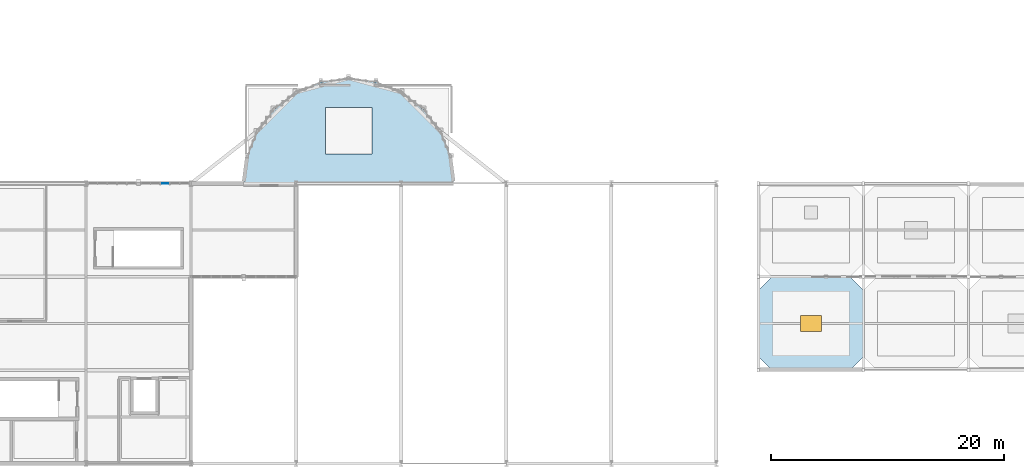
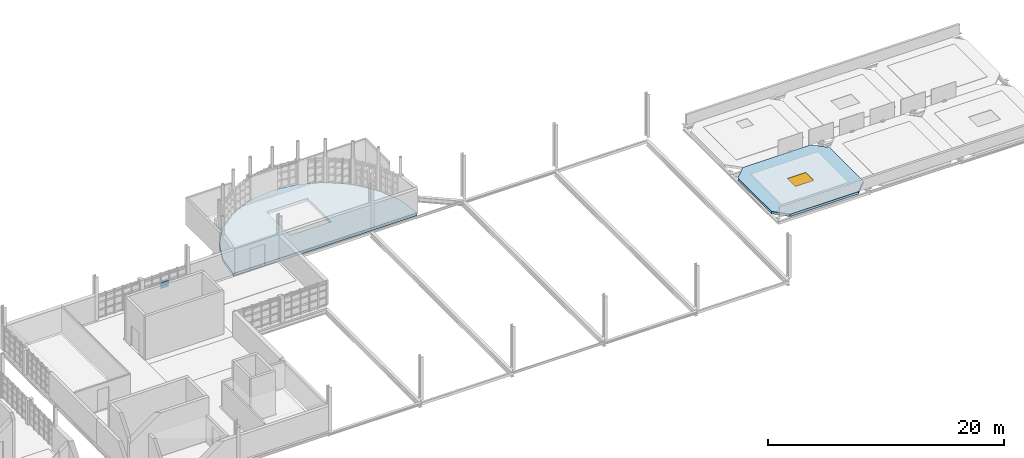
# One storey, part 29 of 44: 2 slabs, 1 plate, 1 window, 1 opening, 1 element without a shape of its own.
"""IFC4 building model written with IfcOpenShell, lengths in metres."""

from ifc_helpers import new_model, si_unit, direction, frame, origin, origin_2d, place, context, subcontext, project, spatial, polyline, rectangle, outline, extrude, material, layer, layer_set, type_object, element, fill, aggregate, save


model = new_model("IFC4")

# Units and contexts
model_context = context("Model", 3, precision=1e-05, world=origin(), true_north=direction((0.0, 1.0)))
body_context = subcontext(model_context, "Body", "Model", "MODEL_VIEW")
ifc_project = project(units=[si_unit("LENGTHUNIT", "METRE"), si_unit("AREAUNIT", "SQUARE_METRE"), si_unit("VOLUMEUNIT", "CUBIC_METRE"), si_unit("PLANEANGLEUNIT", "RADIAN"), si_unit("MASSUNIT", "GRAM", prefix="KILO")], contexts=[model_context])

# Site, building, storey
site_placement = place(None, origin())
site = spatial("IfcSite", under=ifc_project, at=site_placement, CompositionType="ELEMENT")
building_placement = place(site_placement, origin())
building = spatial("IfcBuilding", under=site, at=building_placement, Name="Serraforn Aerial Cableway Station", CompositionType="ELEMENT")
storey_placement = place(building_placement, frame((0.0, 0.0, 13.800048828125)))
storey = spatial("IfcBuildingStorey", under=building, at=storey_placement, Name="L03", CompositionType="ELEMENT", Elevation=13.800048828125)

# Curtain wall, plate
ifc_material_1 = material(Name="Anodised bronze unitised curtain wall")
curtain_wall_type = type_object("IfcCurtainWallType", Name="CW-SYS-19", PredefinedType="USERDEFINED", material=ifc_material_1)
curtain_wall_placement = place(storey_placement, origin())
curtain_wall = element("IfcCurtainWall", 1, at=curtain_wall_placement, inside=storey, type_object=curtain_wall_type, Name="Unitised Curtain Wall CW-CV-L03-N2A", ObjectType="UNITISED CURTAIN WALL", PredefinedType="USERDEFINED")
ifc_material_2 = material(Name="Solar-control low-E double glazing", Category="glass")
ifc_layer_1 = layer(ifc_material_2, 0.029052734375)
ifc_layer_set_1 = layer_set([ifc_layer_1], Name="Solar-control low-E double glazing")
plate_type = type_object("IfcPlateType", Name="CW-GLZ-7", PredefinedType="CURTAIN_PANEL", material=ifc_layer_set_1)
plate_placement = place(storey_placement, frame((43.3671875, 42.0, 0.919921875), z_axis=(0.0, 0.0, 1.0), x_axis=(1.0, 0.0, 0.0)))
plate = element("IfcPlate", 2, at=plate_placement, type_object=plate_type, Name="Curtain Wall Panel CW-CV-L03-N2A-P3-2", PredefinedType="CURTAIN_PANEL", context=body_context, shape_type="SweptSolid", body=[
    extrude(rectangle(XDim=0.765869140625, YDim=0.029052734375, at=origin_2d()), origin(), (0.0, 0.0, 1.0), 0.654052734375),
])
aggregate(curtain_wall, [plate])

# Slab
ifc_material_3 = material(Name="Concrete C35/45", Category="concrete")
ifc_layer_2 = layer(ifc_material_3, 0.294921875)
ifc_layer_set_2 = layer_set([ifc_layer_2], Name="Concrete C35/45")
slab_type_1 = type_object("IfcSlabType", Name="SLB-FLR-295", PredefinedType="FLOOR", material=ifc_layer_set_2)
slab_1_placement = place(storey_placement, frame((0.0, 0.0, -0.295166015625)))
element("IfcSlab", 3, at=slab_1_placement, inside=storey, type_object=slab_type_1, Name="Bullwheel Apse Slab L03", PredefinedType="FLOOR", context=body_context, shape_type="SweptSolid", body=[
    extrude(outline(polyline([(50.10009765625, 42.0), (50.10009765625, 42.0), (50.40673828125, 44.329345703125), (51.305908203125, 46.5), (52.736083984375, 48.364013671875), (54.60009765625, 49.794189453125), (56.7705078125, 50.693359375), (59.10009765625, 51.0), (61.429443359375, 50.693359375), (63.60009765625, 49.794189453125), (65.464111328125, 48.364013671875), (66.894287109375, 46.5), (67.793212890625, 44.329345703125), (68.10009765625, 42.0), (68.10009765625, 42.0), (50.10009765625, 42.0)]), holes=[polyline([(57.10009765625, 44.5), (61.10009765625, 44.5), (61.10009765625, 48.5), (57.10009765625, 48.5), (57.10009765625, 44.5)])]), origin(), (0.0, 0.0, 1.0), 0.295166015625),
])

# Slab, opening, window
ifc_layer_3 = layer(ifc_material_3, 0.25)
ifc_layer_set_3 = layer_set([ifc_layer_3], Name="Concrete C35/45")
slab_type_2 = type_object("IfcSlabType", Name="SLB-ROOF-250", PredefinedType="ROOF", material=ifc_layer_set_3)
slab_2_placement = place(storey_placement, frame((0.0, 0.0, -0.25)))
slab_2 = element("IfcSlab", 4, at=slab_2_placement, inside=storey, type_object=slab_type_2, Name="Roof Slab EL-L03-1-1", PredefinedType="ROOF", context=body_context, shape_type="SweptSolid", body=[
    extrude(outline(polyline([(95.35009765625, 26.0), (102.050048828125, 26.0), (103.199951171875, 27.14990234375), (103.199951171875, 32.85009765625), (102.050048828125, 34.0), (95.35009765625, 34.0), (94.199951171875, 32.85009765625), (94.199951171875, 27.14990234375), (95.35009765625, 26.0)]), holes=[polyline([(97.802001953125, 29.326904296875), (99.597900390625, 29.326904296875), (99.597900390625, 30.673095703125), (97.802001953125, 30.673095703125), (97.802001953125, 29.326904296875)])]), origin(), (0.0, 0.0, 1.0), 0.25),
])
opening_placement = place(slab_2_placement, frame((98.699951171875, 30.0, -0.010009765625)))
opening = element("IfcOpeningElement", 5, at=opening_placement, cuts=slab_2, Name="Opening SK-02", PredefinedType="OPENING", context=body_context, shape_type="SweptSolid", body=[
    extrude(rectangle(XDim=1.800048828125, YDim=1.35009765625, at=origin_2d()), origin(), (0.0, 0.0, 1.0), 0.27001953125),
])
ifc_material_4 = material(Name="Double low-E laminated safety glass", Category="glass")
window_type = type_object("IfcWindowType", Name="WIN-SKY-2", PartitioningType="SINGLE_PANEL", PredefinedType="SKYLIGHT", material=ifc_material_4)
window_placement = place(slab_2_placement, frame((98.699951171875, 30.0, 0.199951171875)))
window = element("IfcWindow", 6, at=window_placement, inside=storey, type_object=window_type, Name="Roof Skylight EL-L03-1-1", OverallHeight=1.35009765625, OverallWidth=1.800048828125, PartitioningType="SINGLE_PANEL", PredefinedType="SKYLIGHT", context=body_context, shape_type="SweptSolid", body=[
    extrude(rectangle(XDim=1.800048828125, YDim=1.35009765625, at=origin_2d()), origin(), (0.0, 0.0, 1.0), 0.050048828125),
])
fill(opening, window)

save(model, "model.ifc")
